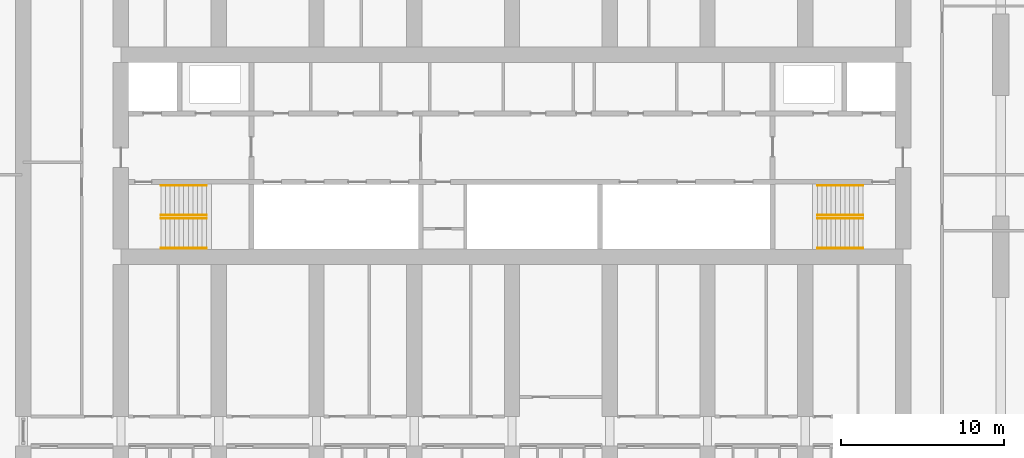
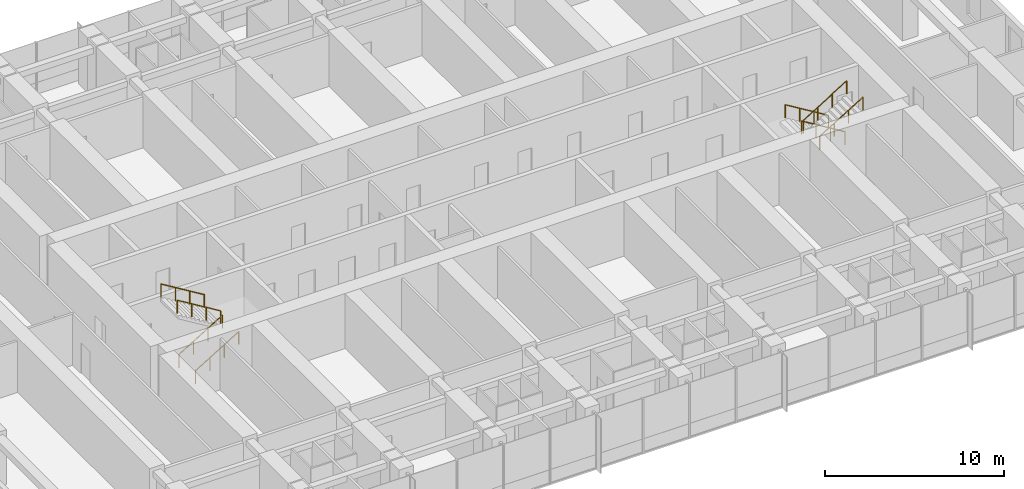
# One storey, part 21 of 21: 8 railings.
"""IFC4 building model written with IfcOpenShell, lengths in metres."""

from ifc_helpers import new_model, si_unit, direction, frame, origin, origin_2d, place, context, subcontext, project, spatial, circle, extrude, material, type_object, element, save


model = new_model("IFC4")

# Units and contexts
model_context = context("Model", 3, precision=1e-05, world=origin(), true_north=direction((0.0, 1.0)))
body_context = subcontext(model_context, "Body", "Model", "MODEL_VIEW")
ifc_project = project(units=[si_unit("LENGTHUNIT", "METRE"), si_unit("AREAUNIT", "SQUARE_METRE"), si_unit("VOLUMEUNIT", "CUBIC_METRE"), si_unit("PLANEANGLEUNIT", "RADIAN"), si_unit("MASSUNIT", "GRAM", prefix="KILO")], contexts=[model_context])

# Site, building, storey
site_placement = place(None, origin())
site = spatial("IfcSite", under=ifc_project, at=site_placement, CompositionType="ELEMENT")
building_placement = place(site_placement, origin())
building = spatial("IfcBuilding", under=site, at=building_placement, Name="Orbita Commons", CompositionType="ELEMENT")
storey_placement = place(building_placement, frame((0.0, 0.0, 91.89990234375)))
storey = spatial("IfcBuildingStorey", under=building, at=storey_placement, Name="L22", CompositionType="ELEMENT", Elevation=91.89990234375)

# Railings
ifc_material = material(Name="Steel tube, painted", Category="steel")
railing_type = type_object("IfcRailingType", Name="Stair handrail steel tube 900", PredefinedType="HANDRAIL", material=ifc_material)
for number, where, name in (
    (1, (20.449951171875, 28.1650390625, 0.170654296875), "Stair S1 handrail L22 flight 1"),
    (2, (20.449951171875, 26.3349609375, 0.170654296875), "Stair S1 handrail L22 flight 1"),
):
    element("IfcRailing", number, at=place(storey_placement, frame(where)), inside=storey, type_object=railing_type, Name=name, PredefinedType="HANDRAIL", context=body_context, shape_type="SweptSolid", body=[
        extrude(circle(Radius=0.02099609375, at=origin_2d()), frame((0.0, 0.0, 0.87890625), z_axis=(0.854202870247, 0.0, 0.519939858505), x_axis=(0.0, 1.0, 0.0)), (0.0, 0.0, 1.0), 3.278076171875),
        extrude(circle(Radius=0.02001953125, at=origin_2d()), origin(), (0.0, 0.0, 1.0), 0.85791015625),
        extrude(circle(Radius=0.02001953125, at=origin_2d()), frame((0.933349609375, 0.0, 0.568115234375)), (0.0, 0.0, 1.0), 0.85791015625),
        extrude(circle(Radius=0.02001953125, at=origin_2d()), frame((1.86669921875, 0.0, 1.13623046875)), (0.0, 0.0, 1.0), 0.85791015625),
        extrude(circle(Radius=0.02001953125, at=origin_2d()), frame((2.800048828125, 0.0, 1.704345703125)), (0.0, 0.0, 1.0), 0.85791015625),
    ])
for number, where, name in (
    (3, (23.25, 28.360107421875, 2.045654296875), "Stair S1 handrail L22 flight 2"),
    (4, (23.25, 30.18994140625, 2.045654296875), "Stair S1 handrail L22 flight 2"),
    (5, (63.550048828125, 28.360107421875, 0.170654296875), "Stair S2 handrail L22 flight 1"),
    (6, (63.550048828125, 30.18994140625, 0.170654296875), "Stair S2 handrail L22 flight 1"),
):
    element("IfcRailing", number, at=place(storey_placement, frame(where)), inside=storey, type_object=railing_type, Name=name, PredefinedType="HANDRAIL", context=body_context, shape_type="SweptSolid", body=[
        extrude(circle(Radius=0.02099609375, at=origin_2d()), frame((0.0, 0.0, 0.87890625), z_axis=(-0.854202870247, 0.0, 0.519939858505), x_axis=(0.0, -1.0, 0.0)), (0.0, 0.0, 1.0), 3.278076171875),
        extrude(circle(Radius=0.02001953125, at=origin_2d()), origin(), (0.0, 0.0, 1.0), 0.85791015625),
        extrude(circle(Radius=0.02001953125, at=origin_2d()), frame((-0.933349609375, 0.0, 0.568115234375)), (0.0, 0.0, 1.0), 0.85791015625),
        extrude(circle(Radius=0.02001953125, at=origin_2d()), frame((-1.86669921875, 0.0, 1.13623046875)), (0.0, 0.0, 1.0), 0.85791015625),
        extrude(circle(Radius=0.02001953125, at=origin_2d()), frame((-2.800048828125, 0.0, 1.704345703125)), (0.0, 0.0, 1.0), 0.85791015625),
    ])
for number, where, name in (
    (7, (60.75, 28.1650390625, 2.045654296875), "Stair S2 handrail L22 flight 2"),
    (8, (60.75, 26.3349609375, 2.045654296875), "Stair S2 handrail L22 flight 2"),
):
    element("IfcRailing", number, at=place(storey_placement, frame(where)), inside=storey, type_object=railing_type, Name=name, PredefinedType="HANDRAIL", context=body_context, shape_type="SweptSolid", body=[
        extrude(circle(Radius=0.02099609375, at=origin_2d()), frame((0.0, 0.0, 0.87890625), z_axis=(0.854202870247, 0.0, 0.519939858505), x_axis=(0.0, 1.0, 0.0)), (0.0, 0.0, 1.0), 3.278076171875),
        extrude(circle(Radius=0.02001953125, at=origin_2d()), origin(), (0.0, 0.0, 1.0), 0.85791015625),
        extrude(circle(Radius=0.02001953125, at=origin_2d()), frame((0.933349609375, 0.0, 0.568115234375)), (0.0, 0.0, 1.0), 0.85791015625),
        extrude(circle(Radius=0.02001953125, at=origin_2d()), frame((1.86669921875, 0.0, 1.13623046875)), (0.0, 0.0, 1.0), 0.85791015625),
        extrude(circle(Radius=0.02001953125, at=origin_2d()), frame((2.800048828125, 0.0, 1.704345703125)), (0.0, 0.0, 1.0), 0.85791015625),
    ])

save(model, "model.ifc")
